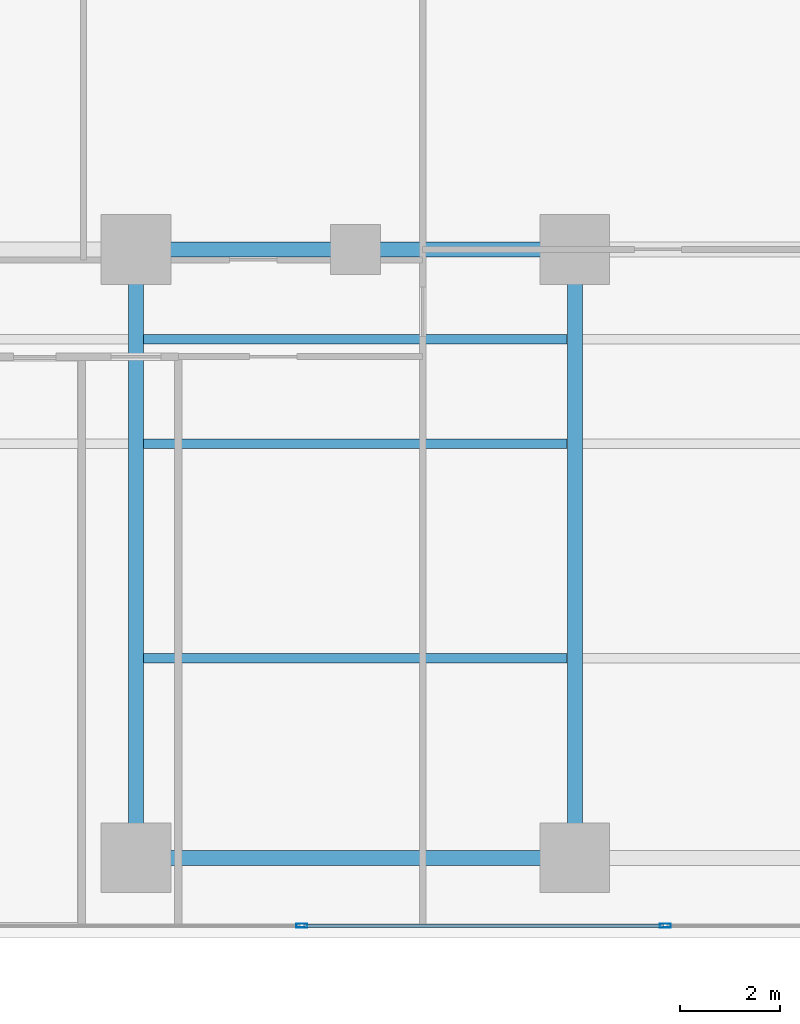
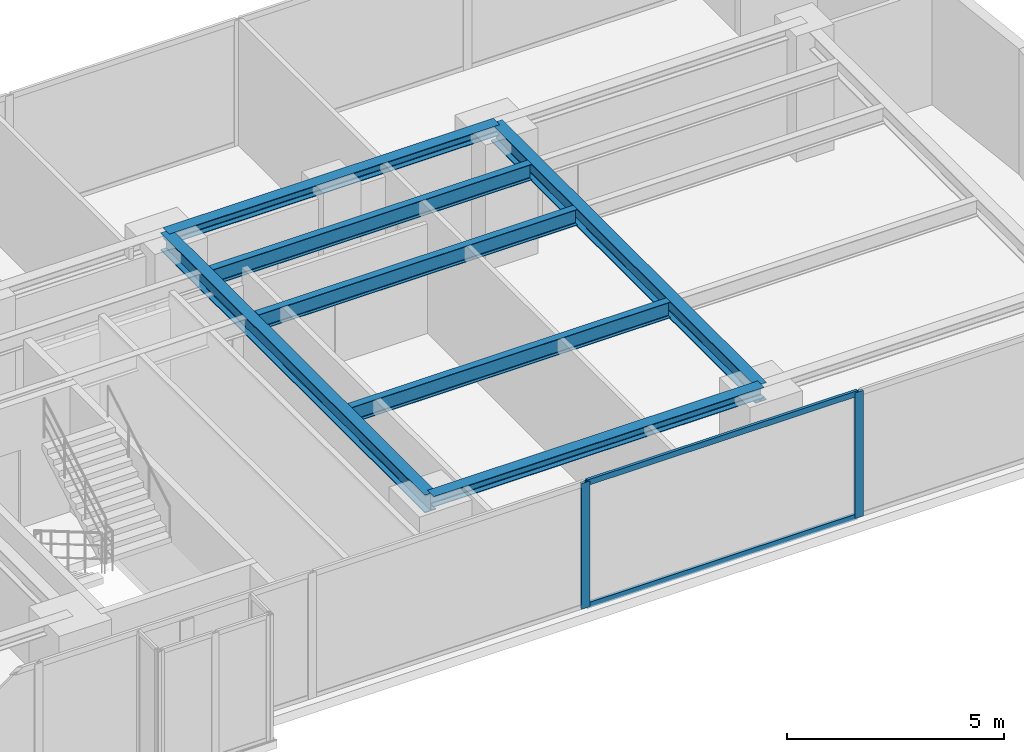
# One storey, part 11 of 26: 7 beams, 4 members, 1 element without a shape of its own.
"""IFC4 building model written with IfcOpenShell, lengths in metres."""

from ifc_helpers import new_model, si_unit, direction, frame, origin, origin_with_axes, origin_2d, place, context, subcontext, project, spatial, hollow_rectangle, i_section, extrude, source, transform, mapped, material, layer, layer_set, material_profile, profile_set, type_object, element, aggregate, save


model = new_model("IFC4")

# Units and contexts
model_context = context("Model", 3, precision=1e-05, world=origin(), true_north=direction((0.0, 1.0)))
body_context = subcontext(model_context, "Body", "Model", "MODEL_VIEW")
ifc_project = project(units=[si_unit("LENGTHUNIT", "METRE"), si_unit("AREAUNIT", "SQUARE_METRE"), si_unit("VOLUMEUNIT", "CUBIC_METRE"), si_unit("PLANEANGLEUNIT", "RADIAN"), si_unit("MASSUNIT", "GRAM", prefix="KILO")], contexts=[model_context])

# Site, building, storey
site_placement = place(None, origin())
site = spatial("IfcSite", under=ifc_project, at=site_placement, CompositionType="ELEMENT")
building_placement = place(site_placement, origin())
building = spatial("IfcBuilding", under=site, at=building_placement, Name="Kolvaren Waterfront Exchange", CompositionType="ELEMENT")
storey_placement = place(building_placement, frame((0.0, 0.0, 125.89990234375)))
storey = spatial("IfcBuildingStorey", under=building, at=storey_placement, Name="L32", CompositionType="ELEMENT", Elevation=125.89990234375)

# Beams
ifc_material_1 = material(Name="Steel S355", Category="steel")
ifc_material_profile_1 = material_profile(ifc_material_1, i_section(OverallWidth=0.300048828125, OverallDepth=0.300048828125, WebThickness=0.010986328125, FlangeThickness=0.01904296875, FilletRadius=0.027099609375, at=origin_2d()), Name="HEB300")
ifc_profile_set_1 = profile_set([ifc_material_profile_1], Name="Steel S355")
beam_type_1 = type_object("IfcBeamType", Name="STR-BM-HEB300", PredefinedType="SPANDREL", material=ifc_profile_set_1)
for number, where, z_axis, x_axis, name in (
    (1, (36.800048828125, 5.199951171875, 3.39013671875), (1.0, 0.0, 0.0), (0.0, 1.0, 0.0), "L32 east-arm spandrel S3"),
    (2, (36.800048828125, 17.39990234375, 3.39013671875), (1.0, 0.0, 0.0), (0.0, 1.0, 0.0), "L32 east-arm spandrel N3"),
):
    element("IfcBeam", number, at=place(storey_placement, frame(where, z_axis=z_axis, x_axis=x_axis)), inside=storey, type_object=beam_type_1, Name=name, PredefinedType="SPANDREL", context=body_context, shape_type="SweptSolid", body=[
        extrude(i_section(OverallWidth=0.300048828125, OverallDepth=0.300048828125, WebThickness=0.010986328125, FlangeThickness=0.01904296875, FilletRadius=0.027099609375, at=origin_2d()), origin(), (0.0, 0.0, 1.0), 8.800048828125),
    ])
ifc_material_profile_2 = material_profile(ifc_material_1, i_section(OverallWidth=0.300048828125, OverallDepth=0.5, WebThickness=0.014404296875, FlangeThickness=0.028076171875, FilletRadius=0.027099609375, at=origin_2d()), Name="HEB500")
ifc_profile_set_2 = profile_set([ifc_material_profile_2], Name="Steel S355")
beam_type_2 = type_object("IfcBeamType", Name="STR-BM-HEB500", PredefinedType="BEAM", material=ifc_profile_set_2)
for number, where, z_axis, x_axis, name in (
    (3, (36.800048828125, 5.199951171875, 3.2900390625), (0.0, 1.0, 0.0), (-1.0, 0.0, 0.0), "L32 east-arm transverse girder X36"),
    (4, (45.60009765625, 5.199951171875, 3.2900390625), (0.0, 1.0, 0.0), (-1.0, 0.0, 0.0), "L32 east-arm transverse girder X45"),
):
    element("IfcBeam", number, at=place(storey_placement, frame(where, z_axis=z_axis, x_axis=x_axis)), inside=storey, type_object=beam_type_2, Name=name, PredefinedType="BEAM", context=body_context, shape_type="SweptSolid", body=[
        extrude(i_section(OverallWidth=0.300048828125, OverallDepth=0.5, WebThickness=0.014404296875, FlangeThickness=0.028076171875, FilletRadius=0.027099609375, at=origin_2d()), origin(), (0.0, 0.0, 1.0), 12.199951171875),
    ])
ifc_material_profile_3 = material_profile(ifc_material_1, i_section(OverallWidth=0.18994140625, OverallDepth=0.449951171875, WebThickness=0.009521484375, FlangeThickness=0.0146484375, FilletRadius=0.02099609375, at=origin_2d()), Name="IPE450")
ifc_profile_set_3 = profile_set([ifc_material_profile_3], Name="Steel S355")
beam_type_3 = type_object("IfcBeamType", Name="STR-BM-IPE450", PredefinedType="JOIST", material=ifc_profile_set_3)
for number, where, z_axis, x_axis, name in (
    (5, (36.951904296875, 13.5, 3.315185546875), (1.0, 0.0, 0.0), (0.0, 1.0, 0.0), "L32 east-arm composite joist 3A"),
    (6, (36.951904296875, 15.60009765625, 3.315185546875), (1.0, 0.0, 0.0), (0.0, 1.0, 0.0), "L32 east-arm composite joist 3C"),
    (7, (36.951904296875, 9.199951171875, 3.315185546875), (1.0, 0.0, 0.0), (0.0, 1.0, 0.0), "L32 east-arm composite joist 3B"),
):
    element("IfcBeam", number, at=place(storey_placement, frame(where, z_axis=z_axis, x_axis=x_axis)), inside=storey, type_object=beam_type_3, Name=name, PredefinedType="JOIST", context=body_context, shape_type="SweptSolid", body=[
        extrude(i_section(OverallWidth=0.18994140625, OverallDepth=0.449951171875, WebThickness=0.009521484375, FlangeThickness=0.0146484375, FilletRadius=0.02099609375, at=origin_2d()), origin(), (0.0, 0.0, 1.0), 8.49609375),
    ])

# Curtain wall, members
ifc_material_2 = material(Name="Anodised bronze aluminium 6063-T6", Category="aluminium")
ifc_layer = layer(ifc_material_2, 0.219970703125, Name="Anodised bronze aluminium 6063-T6")
ifc_layer_set = layer_set([ifc_layer], Name="Anodised bronze aluminium 6063-T6")
curtain_wall_type = type_object("IfcCurtainWallType", Name="ARC-CW-SYS1", PredefinedType="USERDEFINED", material=ifc_layer_set)
curtain_wall_placement = place(storey_placement, origin())
curtain_wall = element("IfcCurtainWall", 8, at=curtain_wall_placement, inside=storey, type_object=curtain_wall_type, Name="L32 stick curtain wall CW1 (CW-L32-S)", ObjectType="STICK CURTAIN WALL", PredefinedType="USERDEFINED")
ifc_material_3 = material(Name="Anodised aluminium 6063-T6", Category="aluminium")
ifc_material_profile_4 = material_profile(ifc_material_3, hollow_rectangle(XDim=0.080078125, YDim=0.219970703125, WallThickness=0.0048828125, at=origin_2d()), Name="ALU-MUL-220x80x5")
ifc_profile_set_4 = profile_set([ifc_material_profile_4], Name="Anodised aluminium 6063-T6")
member_type_1 = type_object("IfcMemberType", Name="ARC-CWM-220", PredefinedType="MULLION", material=ifc_profile_set_4)
shared_shape_1 = source(origin_with_axes(), body_context, "Body", "SweptSolid", [
    extrude(hollow_rectangle(XDim=0.080078125, YDim=0.219970703125, WallThickness=0.0048828125, at=origin_2d()), origin(), (0.0, 0.0, 1.0), 3.5400390625),
])
member_1_placement = place(storey_placement, frame((40.128662109375, 3.840087890625, 0.0), z_axis=(0.0, 0.0, 1.0), x_axis=(0.0, 1.0, 0.0)))
member_1 = element("IfcMember", 9, at=member_1_placement, type_object=member_type_1, Name="CW1 mullion 6", PredefinedType="MULLION", context=body_context, shape_type="MappedRepresentation", body=[
    mapped(shared_shape_1, transform((0.0, 0.0, 0.0), x_axis=(1.0, 0.0, 0.0), y_axis=(0.0, 1.0, 0.0), z_axis=(0.0, 0.0, 1.0), scale=1.0)),
])
member_2_placement = place(storey_placement, frame((47.414306640625, 3.840087890625, 0.0), z_axis=(0.0, 0.0, 1.0), x_axis=(0.0, 1.0, 0.0)))
member_2 = element("IfcMember", 10, at=member_2_placement, type_object=member_type_1, Name="CW1 mullion 7", PredefinedType="MULLION", context=body_context, shape_type="MappedRepresentation", body=[
    mapped(shared_shape_1, transform((0.0, 0.0, 0.0), x_axis=(1.0, 0.0, 0.0), y_axis=(0.0, 1.0, 0.0), z_axis=(0.0, 0.0, 1.0), scale=1.0)),
])
ifc_material_profile_5 = material_profile(ifc_material_3, hollow_rectangle(XDim=0.074951171875, YDim=0.159912109375, WallThickness=0.00439453125, at=origin_2d()), Name="ALU-TRN-160x75x4.5")
ifc_profile_set_5 = profile_set([ifc_material_profile_5], Name="Anodised aluminium 6063-T6")
member_type_2 = type_object("IfcMemberType", Name="ARC-CWT-160", PredefinedType="USERDEFINED", material=ifc_profile_set_5)
shared_shape_2 = source(origin_with_axes(), body_context, "Body", "SweptSolid", [
    extrude(hollow_rectangle(XDim=0.074951171875, YDim=0.159912109375, WallThickness=0.00439453125, at=origin_2d()), origin(), (0.0, 0.0, 1.0), 7.205810546875),
])
member_3_placement = place(storey_placement, frame((40.16845703125, 3.840087890625, 0.03759765625), z_axis=(1.0, 0.0, 0.0), x_axis=(0.0, 1.0, 0.0)))
member_3 = element("IfcMember", 11, at=member_3_placement, type_object=member_type_2, Name="CW1 transom 6.1", ObjectType="TRANSOM", PredefinedType="USERDEFINED", context=body_context, shape_type="MappedRepresentation", body=[
    mapped(shared_shape_2, transform((0.0, 0.0, 0.0), x_axis=(1.0, 0.0, 0.0), y_axis=(0.0, 1.0, 0.0), z_axis=(0.0, 0.0, 1.0), scale=1.0)),
])
member_4_placement = place(storey_placement, frame((40.16845703125, 3.840087890625, 3.502685546875), z_axis=(1.0, 0.0, 0.0), x_axis=(0.0, 1.0, 0.0)))
member_4 = element("IfcMember", 12, at=member_4_placement, type_object=member_type_2, Name="CW1 transom 6.2", ObjectType="TRANSOM", PredefinedType="USERDEFINED", context=body_context, shape_type="MappedRepresentation", body=[
    mapped(shared_shape_2, transform((0.0, 0.0, 0.0), x_axis=(1.0, 0.0, 0.0), y_axis=(0.0, 1.0, 0.0), z_axis=(0.0, 0.0, 1.0), scale=1.0)),
])
aggregate(curtain_wall, [member_1, member_2, member_3, member_4])

save(model, "model.ifc")
